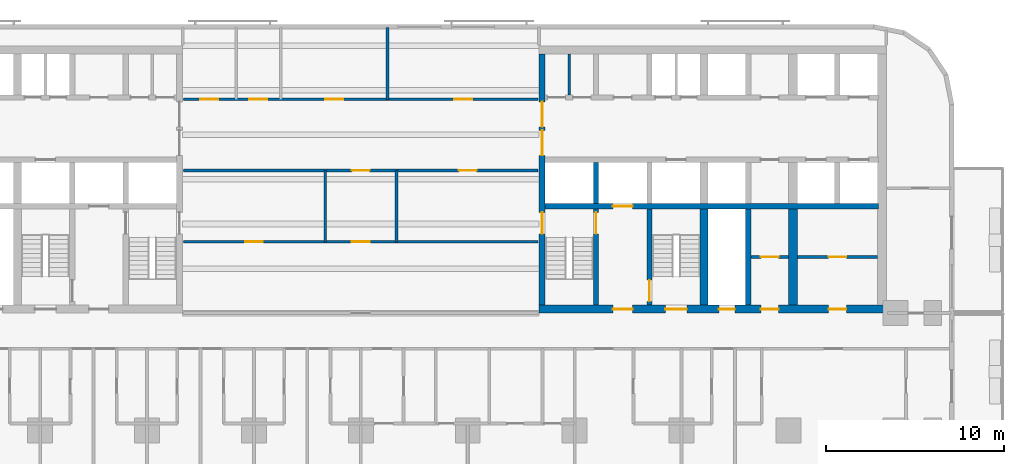
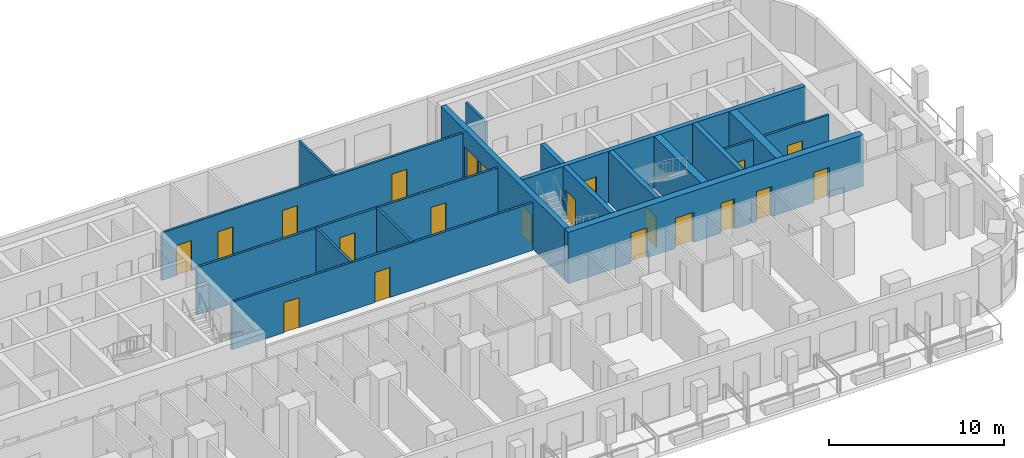
# One storey, part 7 of 14: 21 doors, 18 walls, 21 openings.
"""IFC4 building model written with IfcOpenShell, lengths in metres."""

from ifc_helpers import new_model, si_unit, direction, frame, frame_2d, origin, place, context, subcontext, project, spatial, rectangle, extrude, material, layer, layer_set, type_object, element, fill, save


model = new_model("IFC4")

# Units and contexts
model_context = context("Model", 3, precision=1e-05, world=origin(), true_north=direction((0.0, 1.0)))
body_context = subcontext(model_context, "Body", "Model", "MODEL_VIEW")
ifc_project = project(units=[si_unit("LENGTHUNIT", "METRE"), si_unit("AREAUNIT", "SQUARE_METRE"), si_unit("VOLUMEUNIT", "CUBIC_METRE"), si_unit("PLANEANGLEUNIT", "RADIAN"), si_unit("MASSUNIT", "GRAM", prefix="KILO")], contexts=[model_context])

# Site, building, storey
site_placement = place(None, origin())
site = spatial("IfcSite", under=ifc_project, at=site_placement, CompositionType="ELEMENT")
building_placement = place(site_placement, origin())
building = spatial("IfcBuilding", under=site, at=building_placement, Name="Torana Hotel and Residences", CompositionType="ELEMENT")
storey_placement = place(building_placement, frame((0.0, 0.0, 63.60009765625)))
storey = spatial("IfcBuildingStorey", under=building, at=storey_placement, Name="L15", CompositionType="ELEMENT", Elevation=63.60009765625)

# Wall, opening, door
ifc_material_1 = material(Name="Concrete C80/95", Category="concrete")
ifc_layer_1 = layer(ifc_material_1, 0.300048828125)
ifc_layer_set_1 = layer_set([ifc_layer_1], Name="CORE WALL 300 C80/95")
wall_type_1 = type_object("IfcWallType", Name="CORE WALL 300 C80/95", PredefinedType="SHEAR", material=ifc_layer_set_1)
wall_1_placement = place(storey_placement, frame((10.35009765625, -9.0, 0.0), z_axis=(0.0, 0.0, 1.0), x_axis=(1.0, 0.0, 0.0)))
wall_1 = element("IfcWall", 1, at=wall_1_placement, inside=storey, type_object=wall_type_1, Name="Core wall E band", PredefinedType="SHEAR", context=body_context, shape_type="SweptSolid", body=[
    extrude(rectangle(XDim=18.699951171875, YDim=0.300048828125, at=frame_2d((9.35009765625, 0.0))), origin(), (0.0, 0.0, 1.0), 3.599853515625),
])
opening_1_placement = place(wall_1_placement, frame((3.800048828125, 0.0, 0.0)))
opening_1 = element("IfcOpeningElement", 2, at=opening_1_placement, cuts=wall_1, Name="Opening LD", PredefinedType="OPENING", context=body_context, shape_type="SweptSolid", body=[
    extrude(rectangle(XDim=1.10009765625, YDim=2.10009765625, at=frame_2d((0.550048828125, 1.050048828125))), frame((0.0, 0.159912109375, 0.0), z_axis=(0.0, -1.0, 0.0), x_axis=(1.0, 0.0, 0.0)), (0.0, 0.0, 1.0), 0.320068359375),
])
ifc_material_2 = material(Name="Stainless steel 316", Category="steel")
door_type_1 = type_object("IfcDoorType", Name="LIFT LANDING DOOR LD 1100x2100", OperationType="DOUBLE_DOOR_SLIDING", PredefinedType="USERDEFINED", material=ifc_material_2)
door_1_placement = place(opening_1_placement, origin())
door_1 = element("IfcDoor", 3, at=door_1_placement, inside=storey, type_object=door_type_1, Name="Lift landing door FF2 L15", ObjectType="LIFT LANDING DOOR", OperationType="DOUBLE_DOOR_SLIDING", OverallHeight=2.10009765625, OverallWidth=1.10009765625, PredefinedType="USERDEFINED", context=body_context, shape_type="SweptSolid", body=[
    extrude(rectangle(XDim=1.10009765625, YDim=2.10009765625, at=frame_2d((0.550048828125, 1.050048828125))), frame((0.0, 0.02490234375, 0.0), z_axis=(0.0, -1.0, 0.0), x_axis=(1.0, 0.0, 0.0)), (0.0, 0.0, 1.0), 0.050048828125),
])
fill(opening_1, door_1)

# Wall
wall_2_placement = place(storey_placement, frame((13.199951171875, -8.85009765625, 0.0), z_axis=(0.0, 0.0, 1.0), x_axis=(0.0, 1.0, 0.0)))
element("IfcWall", 4, at=wall_2_placement, inside=storey, type_object=wall_type_1, Name="Core wall E x3.05-S", PredefinedType="SHEAR", context=body_context, shape_type="SweptSolid", body=[
    extrude(rectangle(XDim=2.300048828125, YDim=0.300048828125, at=frame_2d((1.14990234375, 0.0))), origin(), (0.0, 0.0, 1.0), 3.599853515625),
])

# Wall, opening, door
wall_3_placement = place(storey_placement, frame((13.199951171875, -14.550048828125, 0.0), z_axis=(0.0, 0.0, 1.0), x_axis=(0.0, 1.0, 0.0)))
wall_3 = element("IfcWall", 5, at=wall_3_placement, inside=storey, type_object=wall_type_1, Name="Core wall E x3.05-band", PredefinedType="SHEAR", context=body_context, shape_type="SweptSolid", body=[
    extrude(rectangle(XDim=5.400146484375, YDim=0.300048828125, at=frame_2d((2.7001953125, 0.0))), origin(), (0.0, 0.0, 1.0), 3.599853515625),
])
opening_2_placement = place(wall_3_placement, frame((4.0, 0.0, 0.0)))
opening_2 = element("IfcOpeningElement", 6, at=opening_2_placement, cuts=wall_3, Name="Opening L15-33", PredefinedType="OPENING", context=body_context, shape_type="SweptSolid", body=[
    extrude(rectangle(XDim=1.199951171875, YDim=2.10009765625, at=frame_2d((0.60009765625, 1.050048828125))), frame((0.0, 0.159912109375, 0.0), z_axis=(0.0, -1.0, 0.0), x_axis=(1.0, 0.0, 0.0)), (0.0, 0.0, 1.0), 0.320068359375),
])
ifc_material_3 = material(Name="Steel S235", Category="steel")
door_type_2 = type_object("IfcDoorType", Name="STAIR FIRE DOOR D3 1200x2100", OperationType="SINGLE_SWING_LEFT", PredefinedType="DOOR", material=ifc_material_3)
door_2_placement = place(opening_2_placement, origin())
door_2 = element("IfcDoor", 7, at=door_2_placement, inside=storey, type_object=door_type_2, Name="Stair-A-lobby door L15", OperationType="SINGLE_SWING_LEFT", OverallHeight=2.10009765625, OverallWidth=1.199951171875, PredefinedType="DOOR", context=body_context, shape_type="SweptSolid", body=[
    extrude(rectangle(XDim=1.199951171875, YDim=2.10009765625, at=frame_2d((0.60009765625, 1.050048828125))), frame((0.0, 0.02490234375, 0.0), z_axis=(0.0, -1.0, 0.0), x_axis=(1.0, 0.0, 0.0)), (0.0, 0.0, 1.0), 0.050048828125),
])
fill(opening_2, door_2)

wall_4_placement = place(storey_placement, frame((16.199951171875, -14.550048828125, 0.0), z_axis=(0.0, 0.0, 1.0), x_axis=(0.0, 1.0, 0.0)))
wall_4 = element("IfcWall", 8, at=wall_4_placement, inside=storey, type_object=wall_type_1, Name="Core wall E x6.05-band", PredefinedType="SHEAR", context=body_context, shape_type="SweptSolid", body=[
    extrude(rectangle(XDim=5.400146484375, YDim=0.300048828125, at=frame_2d((2.7001953125, 0.0))), origin(), (0.0, 0.0, 1.0), 3.599853515625),
])
opening_3_placement = place(wall_4_placement, frame((0.199951171875, 0.0, 0.0)))
opening_3 = element("IfcOpeningElement", 9, at=opening_3_placement, cuts=wall_4, Name="Opening L15-34", PredefinedType="OPENING", context=body_context, shape_type="SweptSolid", body=[
    extrude(rectangle(XDim=1.199951171875, YDim=2.10009765625, at=frame_2d((0.60009765625, 1.050048828125))), frame((0.0, 0.159912109375, 0.0), z_axis=(0.0, -1.0, 0.0), x_axis=(1.0, 0.0, 0.0)), (0.0, 0.0, 1.0), 0.320068359375),
])
door_3_placement = place(opening_3_placement, frame((0.60009765625, 0.0, 0.0), z_axis=(0.0, 0.0, 1.0), x_axis=(-1.0, 0.0, 0.0)))
door_3 = element("IfcDoor", 10, at=door_3_placement, inside=storey, type_object=door_type_2, Name="Stair-B-lobby door L15", OperationType="SINGLE_SWING_LEFT", OverallHeight=2.10009765625, OverallWidth=1.199951171875, PredefinedType="DOOR", context=body_context, shape_type="SweptSolid", body=[
    extrude(rectangle(XDim=1.199951171875, YDim=2.10009765625, at=frame_2d((0.0, 1.050048828125))), frame((0.0, -0.02490234375, 0.0), z_axis=(0.0, 1.0, 0.0), x_axis=(-1.0, 0.0, 0.0)), (0.0, 0.0, 1.0), 0.050048828125),
])
fill(opening_3, door_3)

# Wall
wall_5_placement = place(storey_placement, frame((21.75, -14.550048828125, 0.0), z_axis=(0.0, 0.0, 1.0), x_axis=(0.0, 1.0, 0.0)))
element("IfcWall", 11, at=wall_5_placement, inside=storey, type_object=wall_type_1, Name="Core wall E mm-band", PredefinedType="SHEAR", context=body_context, shape_type="SweptSolid", body=[
    extrude(rectangle(XDim=5.400146484375, YDim=0.300048828125, at=frame_2d((2.7001953125, 0.0))), origin(), (0.0, 0.0, 1.0), 3.599853515625),
])

# Wall, openings, doors
ifc_material_4 = material(Name="Concrete C80/95", Category="concrete")
ifc_layer_2 = layer(ifc_material_4, 0.35009765625)
ifc_layer_set_2 = layer_set([ifc_layer_2], Name="CORE WALL 350 C80/95")
wall_type_2 = type_object("IfcWallType", Name="CORE WALL 350 C80/95", PredefinedType="SHEAR", material=ifc_layer_set_2)
wall_6_placement = place(storey_placement, frame((10.175048828125, -14.550048828125, 0.0), z_axis=(0.0, 0.0, 1.0), x_axis=(0.0, 1.0, 0.0)))
wall_6 = element("IfcWall", 12, at=wall_6_placement, inside=storey, type_object=wall_type_2, Name="Core wall E arch", PredefinedType="SHEAR", context=body_context, shape_type="SweptSolid", body=[
    extrude(rectangle(XDim=14.10009765625, YDim=0.35009765625, at=frame_2d((7.050048828125, 0.0))), origin(), (0.0, 0.0, 1.0), 3.599853515625),
])
opening_4_placement = place(wall_6_placement, frame((8.39990234375, 0.0, 0.0)))
opening_4 = element("IfcOpeningElement", 13, at=opening_4_placement, cuts=wall_6, Name="Opening L15-18", PredefinedType="OPENING", context=body_context, shape_type="SweptSolid", body=[
    extrude(rectangle(XDim=1.39990234375, YDim=2.39990234375, at=frame_2d((0.699951171875, 1.199951171875))), frame((0.0, 0.18505859375, 0.0), z_axis=(0.0, -1.0, 0.0), x_axis=(1.0, 0.0, 0.0)), (0.0, 0.0, 1.0), 0.3701171875),
])
opening_5_placement = place(wall_6_placement, frame((10.0, 0.0, 0.0)))
opening_5 = element("IfcOpeningElement", 14, at=opening_5_placement, cuts=wall_6, Name="Opening L15-19", PredefinedType="OPENING", context=body_context, shape_type="SweptSolid", body=[
    extrude(rectangle(XDim=1.39990234375, YDim=2.39990234375, at=frame_2d((0.699951171875, 1.199951171875))), frame((0.0, 0.18505859375, 0.0), z_axis=(0.0, -1.0, 0.0), x_axis=(1.0, 0.0, 0.0)), (0.0, 0.0, 1.0), 0.3701171875),
])
opening_6_placement = place(wall_6_placement, frame((4.0, 0.0, 0.0)))
opening_6 = element("IfcOpeningElement", 15, at=opening_6_placement, cuts=wall_6, Name="Opening L15-20", PredefinedType="OPENING", context=body_context, shape_type="SweptSolid", body=[
    extrude(rectangle(XDim=1.199951171875, YDim=2.10009765625, at=frame_2d((0.60009765625, 1.050048828125))), frame((0.0, 0.18505859375, 0.0), z_axis=(0.0, -1.0, 0.0), x_axis=(1.0, 0.0, 0.0)), (0.0, 0.0, 1.0), 0.3701171875),
])
ifc_material_5 = material(Name="Steel S235", Category="steel")
door_type_3 = type_object("IfcDoorType", Name="LOBBY FIRE DOOR D4 1400x2400", OperationType="DOUBLE_DOOR_SINGLE_SWING", PredefinedType="DOOR", material=ifc_material_5)
door_4_placement = place(opening_4_placement, origin())
door_4 = element("IfcDoor", 16, at=door_4_placement, inside=storey, type_object=door_type_3, Name="Lobby-1 door L15", OperationType="DOUBLE_DOOR_SINGLE_SWING", OverallHeight=2.39990234375, OverallWidth=1.39990234375, PredefinedType="DOOR", context=body_context, shape_type="SweptSolid", body=[
    extrude(rectangle(XDim=1.39990234375, YDim=2.39990234375, at=frame_2d((0.699951171875, 1.199951171875))), frame((0.0, 0.02490234375, 0.0), z_axis=(0.0, -1.0, 0.0), x_axis=(1.0, 0.0, 0.0)), (0.0, 0.0, 1.0), 0.050048828125),
])
fill(opening_4, door_4)
door_5_placement = place(opening_5_placement, origin())
door_5 = element("IfcDoor", 17, at=door_5_placement, inside=storey, type_object=door_type_3, Name="Lobby-2 door L15", OperationType="DOUBLE_DOOR_SINGLE_SWING", OverallHeight=2.39990234375, OverallWidth=1.39990234375, PredefinedType="DOOR", context=body_context, shape_type="SweptSolid", body=[
    extrude(rectangle(XDim=1.39990234375, YDim=2.39990234375, at=frame_2d((0.699951171875, 1.199951171875))), frame((0.0, 0.02490234375, 0.0), z_axis=(0.0, -1.0, 0.0), x_axis=(1.0, 0.0, 0.0)), (0.0, 0.0, 1.0), 0.050048828125),
])
fill(opening_5, door_5)
door_6_placement = place(opening_6_placement, frame((0.60009765625, 0.0, 0.0), z_axis=(0.0, 0.0, 1.0), x_axis=(-1.0, 0.0, 0.0)))
door_6 = element("IfcDoor", 18, at=door_6_placement, inside=storey, type_object=door_type_2, Name="Stair-A door L15", OperationType="SINGLE_SWING_RIGHT", OverallHeight=2.10009765625, OverallWidth=1.199951171875, PredefinedType="DOOR", context=body_context, shape_type="SweptSolid", body=[
    extrude(rectangle(XDim=1.199951171875, YDim=2.10009765625, at=frame_2d((0.0, 1.050048828125))), frame((0.0, -0.02490234375, 0.0), z_axis=(0.0, 1.0, 0.0), x_axis=(-1.0, 0.0, 0.0)), (0.0, 0.0, 1.0), 0.050048828125),
])
fill(opening_6, door_6)

ifc_material_6 = material(Name="Concrete C80/95", Category="concrete")
ifc_layer_3 = layer(ifc_material_6, 0.449951171875)
ifc_layer_set_3 = layer_set([ifc_layer_3], Name="CORE WALL 450 C80/95")
wall_type_3 = type_object("IfcWallType", Name="CORE WALL 450 C80/95", PredefinedType="SHEAR", material=ifc_layer_set_3)
wall_7_placement = place(storey_placement, frame((10.0, -14.77490234375, 0.0), z_axis=(0.0, 0.0, 1.0), x_axis=(1.0, 0.0, 0.0)))
wall_7 = element("IfcWall", 19, at=wall_7_placement, inside=storey, type_object=wall_type_3, Name="Core wall E front", PredefinedType="SHEAR", context=body_context, shape_type="SweptSolid", body=[
    extrude(rectangle(XDim=19.5, YDim=0.449951171875, at=frame_2d((9.75, 0.0))), origin(), (0.0, 0.0, 1.0), 3.599853515625),
])
opening_7_placement = place(wall_7_placement, frame((7.10009765625, 0.0, 0.0)))
opening_7 = element("IfcOpeningElement", 20, at=opening_7_placement, cuts=wall_7, Name="Opening L15-21", PredefinedType="OPENING", context=body_context, shape_type="SweptSolid", body=[
    extrude(rectangle(XDim=1.199951171875, YDim=2.10009765625, at=frame_2d((0.60009765625, 1.050048828125))), frame((0.0, 0.23486328125, 0.0), z_axis=(0.0, -1.0, 0.0), x_axis=(1.0, 0.0, 0.0)), (0.0, 0.0, 1.0), 0.469970703125),
])
opening_8_placement = place(wall_7_placement, frame((4.14990234375, 0.0, 0.0)))
opening_8 = element("IfcOpeningElement", 21, at=opening_8_placement, cuts=wall_7, Name="Opening L15-22", PredefinedType="OPENING", context=body_context, shape_type="SweptSolid", body=[
    extrude(rectangle(XDim=1.10009765625, YDim=2.10009765625, at=frame_2d((0.550048828125, 1.050048828125))), frame((0.0, 0.23486328125, 0.0), z_axis=(0.0, -1.0, 0.0), x_axis=(1.0, 0.0, 0.0)), (0.0, 0.0, 1.0), 0.469970703125),
])
opening_9_placement = place(wall_7_placement, frame((10.10009765625, 0.0, 0.0)))
opening_9 = element("IfcOpeningElement", 22, at=opening_9_placement, cuts=wall_7, Name="Opening L15-23", PredefinedType="OPENING", context=body_context, shape_type="SweptSolid", body=[
    extrude(rectangle(XDim=0.89990234375, YDim=2.10009765625, at=frame_2d((0.449951171875, 1.050048828125))), frame((0.0, 0.23486328125, 0.0), z_axis=(0.0, -1.0, 0.0), x_axis=(1.0, 0.0, 0.0)), (0.0, 0.0, 1.0), 0.469970703125),
])
opening_10_placement = place(wall_7_placement, frame((12.449951171875, 0.0, 0.0)))
opening_10 = element("IfcOpeningElement", 23, at=opening_10_placement, cuts=wall_7, Name="Opening L15-24", PredefinedType="OPENING", context=body_context, shape_type="SweptSolid", body=[
    extrude(rectangle(XDim=1.0, YDim=2.10009765625, at=frame_2d((0.5, 1.050048828125))), frame((0.0, 0.23486328125, 0.0), z_axis=(0.0, -1.0, 0.0), x_axis=(1.0, 0.0, 0.0)), (0.0, 0.0, 1.0), 0.469970703125),
])
opening_11_placement = place(wall_7_placement, frame((16.25, 0.0, 0.0)))
opening_11 = element("IfcOpeningElement", 24, at=opening_11_placement, cuts=wall_7, Name="Opening L15-25", PredefinedType="OPENING", context=body_context, shape_type="SweptSolid", body=[
    extrude(rectangle(XDim=1.0, YDim=2.10009765625, at=frame_2d((0.5, 1.050048828125))), frame((0.0, 0.23486328125, 0.0), z_axis=(0.0, -1.0, 0.0), x_axis=(1.0, 0.0, 0.0)), (0.0, 0.0, 1.0), 0.469970703125),
])
ifc_material_7 = material(Name="Steel S235", Category="steel")
door_type_4 = type_object("IfcDoorType", Name="CORE ROOM FIRE DOOR D14 1000x2100", OperationType="SINGLE_SWING_LEFT", PredefinedType="DOOR", material=ifc_material_7)
door_7_placement = place(opening_10_placement, origin())
door_7 = element("IfcDoor", 25, at=door_7_placement, inside=storey, type_object=door_type_4, Name="M-Room-B door L15", OperationType="SINGLE_SWING_RIGHT", OverallHeight=2.10009765625, OverallWidth=1.0, PredefinedType="DOOR", context=body_context, shape_type="SweptSolid", body=[
    extrude(rectangle(XDim=1.0, YDim=2.10009765625, at=frame_2d((0.5, 1.050048828125))), frame((0.0, 0.02490234375, 0.0), z_axis=(0.0, -1.0, 0.0), x_axis=(1.0, 0.0, 0.0)), (0.0, 0.0, 1.0), 0.050048828125),
])
fill(opening_10, door_7)
door_8_placement = place(opening_11_placement, origin())
door_8 = element("IfcDoor", 26, at=door_8_placement, inside=storey, type_object=door_type_4, Name="L-B door L15", OperationType="SINGLE_SWING_RIGHT", OverallHeight=2.10009765625, OverallWidth=1.0, PredefinedType="DOOR", context=body_context, shape_type="SweptSolid", body=[
    extrude(rectangle(XDim=1.0, YDim=2.10009765625, at=frame_2d((0.5, 1.050048828125))), frame((0.0, 0.02490234375, 0.0), z_axis=(0.0, -1.0, 0.0), x_axis=(1.0, 0.0, 0.0)), (0.0, 0.0, 1.0), 0.050048828125),
])
fill(opening_11, door_8)
ifc_material_8 = material(Name="Steel S235", Category="steel")
door_type_5 = type_object("IfcDoorType", Name="FIRE-FIGHTING LOBBY DOOR D8 1100x2100", OperationType="SINGLE_SWING_LEFT", PredefinedType="DOOR", material=ifc_material_8)
door_9_placement = place(opening_8_placement, origin())
door_9 = element("IfcDoor", 27, at=door_9_placement, inside=storey, type_object=door_type_5, Name="FF-lobby door L15", OperationType="SINGLE_SWING_RIGHT", OverallHeight=2.10009765625, OverallWidth=1.10009765625, PredefinedType="DOOR", context=body_context, shape_type="SweptSolid", body=[
    extrude(rectangle(XDim=1.10009765625, YDim=2.10009765625, at=frame_2d((0.550048828125, 1.050048828125))), frame((0.0, 0.02490234375, 0.0), z_axis=(0.0, -1.0, 0.0), x_axis=(1.0, 0.0, 0.0)), (0.0, 0.0, 1.0), 0.050048828125),
])
fill(opening_8, door_9)
ifc_material_9 = material(Name="Steel S235", Category="steel")
door_type_6 = type_object("IfcDoorType", Name="RISER ACCESS DOOR D5 900x2100", OperationType="SINGLE_SWING_LEFT", PredefinedType="DOOR", material=ifc_material_9)
door_10_placement = place(opening_9_placement, origin())
door_10 = element("IfcDoor", 28, at=door_10_placement, inside=storey, type_object=door_type_6, Name="M-Riser door L15", OperationType="SINGLE_SWING_RIGHT", OverallHeight=2.10009765625, OverallWidth=0.89990234375, PredefinedType="DOOR", context=body_context, shape_type="SweptSolid", body=[
    extrude(rectangle(XDim=0.89990234375, YDim=2.10009765625, at=frame_2d((0.449951171875, 1.050048828125))), frame((0.0, 0.02490234375, 0.0), z_axis=(0.0, -1.0, 0.0), x_axis=(1.0, 0.0, 0.0)), (0.0, 0.0, 1.0), 0.050048828125),
])
fill(opening_9, door_10)
door_11_placement = place(opening_7_placement, origin())
door_11 = element("IfcDoor", 29, at=door_11_placement, inside=storey, type_object=door_type_2, Name="Stair-B door L15", OperationType="SINGLE_SWING_RIGHT", OverallHeight=2.10009765625, OverallWidth=1.199951171875, PredefinedType="DOOR", context=body_context, shape_type="SweptSolid", body=[
    extrude(rectangle(XDim=1.199951171875, YDim=2.10009765625, at=frame_2d((0.60009765625, 1.050048828125))), frame((0.0, 0.02490234375, 0.0), z_axis=(0.0, -1.0, 0.0), x_axis=(1.0, 0.0, 0.0)), (0.0, 0.0, 1.0), 0.050048828125),
])
fill(opening_7, door_11)

# Walls
wall_8_placement = place(storey_placement, frame((19.27490234375, -14.550048828125, 0.0), z_axis=(0.0, 0.0, 1.0), x_axis=(0.0, 1.0, 0.0)))
element("IfcWall", 30, at=wall_8_placement, inside=storey, type_object=wall_type_3, Name="Core wall E hm-band", PredefinedType="SHEAR", context=body_context, shape_type="SweptSolid", body=[
    extrude(rectangle(XDim=5.400146484375, YDim=0.449951171875, at=frame_2d((2.7001953125, 0.0))), origin(), (0.0, 0.0, 1.0), 3.599853515625),
])
ifc_material_10 = material(Name="Concrete C80/95", Category="concrete")
ifc_layer_4 = layer(ifc_material_10, 0.5)
ifc_layer_set_4 = layer_set([ifc_layer_4], Name="CORE WALL 500 C80/95")
wall_type_4 = type_object("IfcWallType", Name="CORE WALL 500 C80/95", PredefinedType="SHEAR", material=ifc_layer_set_4)
wall_9_placement = place(storey_placement, frame((24.25, -14.550048828125, 0.0), z_axis=(0.0, 0.0, 1.0), x_axis=(0.0, 1.0, 0.0)))
element("IfcWall", 31, at=wall_9_placement, inside=storey, type_object=wall_type_4, Name="Core wall E ml-band", PredefinedType="SHEAR", context=body_context, shape_type="SweptSolid", body=[
    extrude(rectangle(XDim=5.400146484375, YDim=0.5, at=frame_2d((2.7001953125, 0.0))), origin(), (0.0, 0.0, 1.0), 3.599853515625),
])
ifc_material_11 = material(Name="Gypsum plaster")
ifc_layer_5 = layer(ifc_material_11, 0.014892578125, Name="Plaster", Category="finish")
ifc_material_12 = material(Name="Concrete blockwork", Category="masonry")
ifc_layer_6 = layer(ifc_material_12, 0.1201171875, Name="Blockwork", Category="structure")
ifc_layer_7 = layer(ifc_material_11, 0.014892578125, Name="Plaster", Category="finish")
ifc_layer_set_5 = layer_set([ifc_layer_5, ifc_layer_6, ifc_layer_7], Name="FIRE PARTITION 150 BLOCKWORK")
wall_type_5 = type_object("IfcWallType", Name="FIRE PARTITION 150 BLOCKWORK", PredefinedType="PARTITIONING", material=ifc_layer_set_5)
wall_10_placement = place(storey_placement, frame((11.699951171875, -2.75, 0.0), z_axis=(0.0, 0.0, 1.0), x_axis=(0.0, 1.0, 0.0)))
element("IfcWall", 32, at=wall_10_placement, inside=storey, type_object=wall_type_5, Name="Core partition L15", PredefinedType="PARTITIONING", context=body_context, shape_type="SweptSolid", body=[
    extrude(rectangle(XDim=2.300048828125, YDim=0.14990234375, at=frame_2d((1.14990234375, 0.0))), origin(), (0.0, 0.0, 1.0), 3.2998046875),
])

# Wall, opening, door
wall_11_placement = place(storey_placement, frame((21.89990234375, -11.85009765625, 0.0), z_axis=(0.0, 0.0, 1.0), x_axis=(1.0, 0.0, 0.0)))
wall_11 = element("IfcWall", 33, at=wall_11_placement, inside=storey, type_object=wall_type_5, Name="Core partition L15", PredefinedType="PARTITIONING", context=body_context, shape_type="SweptSolid", body=[
    extrude(rectangle(XDim=2.10009765625, YDim=0.14990234375, at=frame_2d((1.050048828125, 0.0))), origin(), (0.0, 0.0, 1.0), 3.2998046875),
])
opening_12_placement = place(wall_11_placement, frame((0.550048828125, 0.0, 0.0)))
opening_12 = element("IfcOpeningElement", 34, at=opening_12_placement, cuts=wall_11, Name="Opening L15-37", PredefinedType="OPENING", context=body_context, shape_type="SweptSolid", body=[
    extrude(rectangle(XDim=1.0, YDim=2.10009765625, at=frame_2d((0.5, 1.050048828125))), frame((0.0, 0.0849609375, 0.0), z_axis=(0.0, -1.0, 0.0), x_axis=(1.0, 0.0, 0.0)), (0.0, 0.0, 1.0), 0.169921875),
])
door_12_placement = place(opening_12_placement, origin())
door_12 = element("IfcDoor", 35, at=door_12_placement, inside=storey, type_object=door_type_4, Name="Plant room door L15", OperationType="SINGLE_SWING_RIGHT", OverallHeight=2.10009765625, OverallWidth=1.0, PredefinedType="DOOR", context=body_context, shape_type="SweptSolid", body=[
    extrude(rectangle(XDim=1.0, YDim=2.10009765625, at=frame_2d((0.5, 1.050048828125))), frame((0.0, 0.02490234375, 0.0), z_axis=(0.0, -1.0, 0.0), x_axis=(1.0, 0.0, 0.0)), (0.0, 0.0, 1.0), 0.050048828125),
])
fill(opening_12, door_12)

wall_12_placement = place(storey_placement, frame((24.5, -11.85009765625, 0.0), z_axis=(0.0, 0.0, 1.0), x_axis=(1.0, 0.0, 0.0)))
wall_12 = element("IfcWall", 36, at=wall_12_placement, inside=storey, type_object=wall_type_5, Name="Core partition L15", PredefinedType="PARTITIONING", context=body_context, shape_type="SweptSolid", body=[
    extrude(rectangle(XDim=4.5, YDim=0.14990234375, at=frame_2d((2.25, 0.0))), origin(), (0.0, 0.0, 1.0), 3.2998046875),
])
opening_13_placement = place(wall_12_placement, frame((1.75, 0.0, 0.0)))
opening_13 = element("IfcOpeningElement", 37, at=opening_13_placement, cuts=wall_12, Name="Opening L15-38", PredefinedType="OPENING", context=body_context, shape_type="SweptSolid", body=[
    extrude(rectangle(XDim=1.0, YDim=2.10009765625, at=frame_2d((0.5, 1.050048828125))), frame((0.0, 0.0849609375, 0.0), z_axis=(0.0, -1.0, 0.0), x_axis=(1.0, 0.0, 0.0)), (0.0, 0.0, 1.0), 0.169921875),
])
door_13_placement = place(opening_13_placement, origin())
door_13 = element("IfcDoor", 38, at=door_13_placement, inside=storey, type_object=door_type_4, Name="Plant room door L15", OperationType="SINGLE_SWING_RIGHT", OverallHeight=2.10009765625, OverallWidth=1.0, PredefinedType="DOOR", context=body_context, shape_type="SweptSolid", body=[
    extrude(rectangle(XDim=1.0, YDim=2.10009765625, at=frame_2d((0.5, 1.050048828125))), frame((0.0, 0.02490234375, 0.0), z_axis=(0.0, -1.0, 0.0), x_axis=(1.0, 0.0, 0.0)), (0.0, 0.0, 1.0), 0.050048828125),
])
fill(opening_13, door_13)

# Walls
for number, where, z_axis, x_axis, name in (
    (39, (2.0, -11.0, 0.0), (0.0, 0.0, 1.0), (0.0, 1.0, 0.0), "Partition L15"),
    (40, (-2.0, -11.0, 0.0), (0.0, 0.0, 1.0), (0.0, 1.0, 0.0), "Partition L15"),
):
    element("IfcWall", number, at=place(storey_placement, frame(where, z_axis=z_axis, x_axis=x_axis)), inside=storey, type_object=wall_type_5, Name=name, PredefinedType="PARTITIONING", context=body_context, shape_type="SweptSolid", body=[
        extrude(rectangle(XDim=4.0, YDim=0.14990234375, at=frame_2d((2.0, 0.0))), origin(), (0.0, 0.0, 1.0), 3.31982421875),
    ])

# Wall, openings, doors
wall_13_placement = place(storey_placement, frame((-9.949951171875, -11.0, 0.0), z_axis=(0.0, 0.0, 1.0), x_axis=(1.0, 0.0, 0.0)))
wall_13 = element("IfcWall", 41, at=wall_13_placement, inside=storey, type_object=wall_type_5, Name="Partition L15", PredefinedType="PARTITIONING", context=body_context, shape_type="SweptSolid", body=[
    extrude(rectangle(XDim=19.89990234375, YDim=0.14990234375, at=frame_2d((9.949951171875, 0.0))), origin(), (0.0, 0.0, 1.0), 3.31982421875),
])
opening_14_placement = place(wall_13_placement, frame((9.449951171875, 0.0, 0.0)))
opening_14 = element("IfcOpeningElement", 42, at=opening_14_placement, cuts=wall_13, Name="Opening L15-54", PredefinedType="OPENING", context=body_context, shape_type="SweptSolid", body=[
    extrude(rectangle(XDim=1.0, YDim=2.10009765625, at=frame_2d((0.5, 1.050048828125))), frame((0.0, 0.0849609375, 0.0), z_axis=(0.0, -1.0, 0.0), x_axis=(1.0, 0.0, 0.0)), (0.0, 0.0, 1.0), 0.169921875),
])
opening_15_placement = place(wall_13_placement, frame((3.449951171875, 0.0, 0.0)))
opening_15 = element("IfcOpeningElement", 43, at=opening_15_placement, cuts=wall_13, Name="Opening L15-55", PredefinedType="OPENING", context=body_context, shape_type="SweptSolid", body=[
    extrude(rectangle(XDim=1.0, YDim=2.10009765625, at=frame_2d((0.5, 1.050048828125))), frame((0.0, 0.0849609375, 0.0), z_axis=(0.0, -1.0, 0.0), x_axis=(1.0, 0.0, 0.0)), (0.0, 0.0, 1.0), 0.169921875),
])
ifc_material_13 = material(Name="Steel S235", Category="steel")
door_type_7 = type_object("IfcDoorType", Name="ENTRY FIRE DOOR D6 1000x2100", OperationType="SINGLE_SWING_LEFT", PredefinedType="DOOR", material=ifc_material_13)
door_14_placement = place(opening_14_placement, origin())
door_14 = element("IfcDoor", 44, at=door_14_placement, inside=storey, type_object=door_type_7, Name="Door L15", OperationType="SINGLE_SWING_RIGHT", OverallHeight=2.10009765625, OverallWidth=1.0, PredefinedType="DOOR", context=body_context, shape_type="SweptSolid", body=[
    extrude(rectangle(XDim=1.0, YDim=2.10009765625, at=frame_2d((0.5, 1.050048828125))), frame((0.0, 0.02490234375, 0.0), z_axis=(0.0, -1.0, 0.0), x_axis=(1.0, 0.0, 0.0)), (0.0, 0.0, 1.0), 0.050048828125),
])
fill(opening_14, door_14)
door_15_placement = place(opening_15_placement, origin())
door_15 = element("IfcDoor", 45, at=door_15_placement, inside=storey, type_object=door_type_7, Name="Door L15", OperationType="SINGLE_SWING_RIGHT", OverallHeight=2.10009765625, OverallWidth=1.0, PredefinedType="DOOR", context=body_context, shape_type="SweptSolid", body=[
    extrude(rectangle(XDim=1.0, YDim=2.10009765625, at=frame_2d((0.5, 1.050048828125))), frame((0.0, 0.02490234375, 0.0), z_axis=(0.0, -1.0, 0.0), x_axis=(1.0, 0.0, 0.0)), (0.0, 0.0, 1.0), 0.050048828125),
])
fill(opening_15, door_15)

wall_14_placement = place(storey_placement, frame((-9.949951171875, -7.0, 0.0), z_axis=(0.0, 0.0, 1.0), x_axis=(1.0, 0.0, 0.0)))
wall_14 = element("IfcWall", 46, at=wall_14_placement, inside=storey, type_object=wall_type_5, Name="Partition L15", PredefinedType="PARTITIONING", context=body_context, shape_type="SweptSolid", body=[
    extrude(rectangle(XDim=19.89990234375, YDim=0.14990234375, at=frame_2d((9.949951171875, 0.0))), origin(), (0.0, 0.0, 1.0), 3.31982421875),
])
opening_16_placement = place(wall_14_placement, frame((9.449951171875, 0.0, 0.0)))
opening_16 = element("IfcOpeningElement", 47, at=opening_16_placement, cuts=wall_14, Name="Opening L15-56", PredefinedType="OPENING", context=body_context, shape_type="SweptSolid", body=[
    extrude(rectangle(XDim=1.0, YDim=2.10009765625, at=frame_2d((0.5, 1.050048828125))), frame((0.0, 0.0849609375, 0.0), z_axis=(0.0, -1.0, 0.0), x_axis=(1.0, 0.0, 0.0)), (0.0, 0.0, 1.0), 0.169921875),
])
opening_17_placement = place(wall_14_placement, frame((15.449951171875, 0.0, 0.0)))
opening_17 = element("IfcOpeningElement", 48, at=opening_17_placement, cuts=wall_14, Name="Opening L15-57", PredefinedType="OPENING", context=body_context, shape_type="SweptSolid", body=[
    extrude(rectangle(XDim=1.0, YDim=2.10009765625, at=frame_2d((0.5, 1.050048828125))), frame((0.0, 0.0849609375, 0.0), z_axis=(0.0, -1.0, 0.0), x_axis=(1.0, 0.0, 0.0)), (0.0, 0.0, 1.0), 0.169921875),
])
door_16_placement = place(opening_16_placement, origin())
door_16 = element("IfcDoor", 49, at=door_16_placement, inside=storey, type_object=door_type_7, Name="Door L15", OperationType="SINGLE_SWING_RIGHT", OverallHeight=2.10009765625, OverallWidth=1.0, PredefinedType="DOOR", context=body_context, shape_type="SweptSolid", body=[
    extrude(rectangle(XDim=1.0, YDim=2.10009765625, at=frame_2d((0.5, 1.050048828125))), frame((0.0, 0.02490234375, 0.0), z_axis=(0.0, -1.0, 0.0), x_axis=(1.0, 0.0, 0.0)), (0.0, 0.0, 1.0), 0.050048828125),
])
fill(opening_16, door_16)
door_17_placement = place(opening_17_placement, frame((0.5, 0.0, 0.0), z_axis=(0.0, 0.0, 1.0), x_axis=(-1.0, 0.0, 0.0)))
door_17 = element("IfcDoor", 50, at=door_17_placement, inside=storey, type_object=door_type_7, Name="Door L15", OperationType="SINGLE_SWING_LEFT", OverallHeight=2.10009765625, OverallWidth=1.0, PredefinedType="DOOR", context=body_context, shape_type="SweptSolid", body=[
    extrude(rectangle(XDim=1.0, YDim=2.10009765625, at=frame_2d((0.0, 1.050048828125))), frame((0.0, -0.02490234375, 0.0), z_axis=(0.0, 1.0, 0.0), x_axis=(-1.0, 0.0, 0.0)), (0.0, 0.0, 1.0), 0.050048828125),
])
fill(opening_17, door_17)

wall_15_placement = place(storey_placement, frame((-9.949951171875, -3.0, 0.0), z_axis=(0.0, 0.0, 1.0), x_axis=(1.0, 0.0, 0.0)))
wall_15 = element("IfcWall", 51, at=wall_15_placement, inside=storey, type_object=wall_type_5, Name="Partition L15", PredefinedType="PARTITIONING", context=body_context, shape_type="SweptSolid", body=[
    extrude(rectangle(XDim=19.89990234375, YDim=0.14990234375, at=frame_2d((9.949951171875, 0.0))), origin(), (0.0, 0.0, 1.0), 3.31982421875),
])
opening_18_placement = place(wall_15_placement, frame((0.949951171875, 0.0, 0.0)))
opening_18 = element("IfcOpeningElement", 52, at=opening_18_placement, cuts=wall_15, Name="Opening L15-58", PredefinedType="OPENING", context=body_context, shape_type="SweptSolid", body=[
    extrude(rectangle(XDim=1.0, YDim=2.10009765625, at=frame_2d((0.5, 1.050048828125))), frame((0.0, 0.0849609375, 0.0), z_axis=(0.0, -1.0, 0.0), x_axis=(1.0, 0.0, 0.0)), (0.0, 0.0, 1.0), 0.169921875),
])
opening_19_placement = place(wall_15_placement, frame((3.699951171875, 0.0, 0.0)))
opening_19 = element("IfcOpeningElement", 53, at=opening_19_placement, cuts=wall_15, Name="Opening L15-59", PredefinedType="OPENING", context=body_context, shape_type="SweptSolid", body=[
    extrude(rectangle(XDim=1.0, YDim=2.10009765625, at=frame_2d((0.5, 1.050048828125))), frame((0.0, 0.0849609375, 0.0), z_axis=(0.0, -1.0, 0.0), x_axis=(1.0, 0.0, 0.0)), (0.0, 0.0, 1.0), 0.169921875),
])
opening_20_placement = place(wall_15_placement, frame((7.949951171875, 0.0, 0.0)))
opening_20 = element("IfcOpeningElement", 54, at=opening_20_placement, cuts=wall_15, Name="Opening L15-60", PredefinedType="OPENING", context=body_context, shape_type="SweptSolid", body=[
    extrude(rectangle(XDim=1.0, YDim=2.10009765625, at=frame_2d((0.5, 1.050048828125))), frame((0.0, 0.0849609375, 0.0), z_axis=(0.0, -1.0, 0.0), x_axis=(1.0, 0.0, 0.0)), (0.0, 0.0, 1.0), 0.169921875),
])
opening_21_placement = place(wall_15_placement, frame((15.199951171875, 0.0, 0.0)))
opening_21 = element("IfcOpeningElement", 55, at=opening_21_placement, cuts=wall_15, Name="Opening L15-61", PredefinedType="OPENING", context=body_context, shape_type="SweptSolid", body=[
    extrude(rectangle(XDim=1.0, YDim=2.10009765625, at=frame_2d((0.5, 1.050048828125))), frame((0.0, 0.0849609375, 0.0), z_axis=(0.0, -1.0, 0.0), x_axis=(1.0, 0.0, 0.0)), (0.0, 0.0, 1.0), 0.169921875),
])
door_18_placement = place(opening_18_placement, origin())
door_18 = element("IfcDoor", 56, at=door_18_placement, inside=storey, type_object=door_type_7, Name="Door L15", OperationType="SINGLE_SWING_RIGHT", OverallHeight=2.10009765625, OverallWidth=1.0, PredefinedType="DOOR", context=body_context, shape_type="SweptSolid", body=[
    extrude(rectangle(XDim=1.0, YDim=2.10009765625, at=frame_2d((0.5, 1.050048828125))), frame((0.0, 0.02490234375, 0.0), z_axis=(0.0, -1.0, 0.0), x_axis=(1.0, 0.0, 0.0)), (0.0, 0.0, 1.0), 0.050048828125),
])
fill(opening_18, door_18)
door_19_placement = place(opening_19_placement, origin())
door_19 = element("IfcDoor", 57, at=door_19_placement, inside=storey, type_object=door_type_7, Name="Door L15", OperationType="SINGLE_SWING_RIGHT", OverallHeight=2.10009765625, OverallWidth=1.0, PredefinedType="DOOR", context=body_context, shape_type="SweptSolid", body=[
    extrude(rectangle(XDim=1.0, YDim=2.10009765625, at=frame_2d((0.5, 1.050048828125))), frame((0.0, 0.02490234375, 0.0), z_axis=(0.0, -1.0, 0.0), x_axis=(1.0, 0.0, 0.0)), (0.0, 0.0, 1.0), 0.050048828125),
])
fill(opening_19, door_19)
door_20_placement = place(opening_20_placement, origin())
door_20 = element("IfcDoor", 58, at=door_20_placement, inside=storey, type_object=door_type_7, Name="Door L15", OperationType="SINGLE_SWING_RIGHT", OverallHeight=2.10009765625, OverallWidth=1.0, PredefinedType="DOOR", context=body_context, shape_type="SweptSolid", body=[
    extrude(rectangle(XDim=1.0, YDim=2.10009765625, at=frame_2d((0.5, 1.050048828125))), frame((0.0, 0.02490234375, 0.0), z_axis=(0.0, -1.0, 0.0), x_axis=(1.0, 0.0, 0.0)), (0.0, 0.0, 1.0), 0.050048828125),
])
fill(opening_20, door_20)
door_21_placement = place(opening_21_placement, origin())
door_21 = element("IfcDoor", 59, at=door_21_placement, inside=storey, type_object=door_type_7, Name="Door L15", OperationType="SINGLE_SWING_RIGHT", OverallHeight=2.10009765625, OverallWidth=1.0, PredefinedType="DOOR", context=body_context, shape_type="SweptSolid", body=[
    extrude(rectangle(XDim=1.0, YDim=2.10009765625, at=frame_2d((0.5, 1.050048828125))), frame((0.0, 0.02490234375, 0.0), z_axis=(0.0, -1.0, 0.0), x_axis=(1.0, 0.0, 0.0)), (0.0, 0.0, 1.0), 0.050048828125),
])
fill(opening_21, door_21)

# Wall
ifc_material_14 = material(Name="Gypsum plasterboard")
ifc_layer_8 = layer(ifc_material_14, 0.012451171875, Name="Plasterboard", Category="finish")
ifc_layer_9 = layer(ifc_material_14, 0.012451171875, Name="Plasterboard", Category="finish")
ifc_material_15 = material(Name="Steel S280GD", Category="steel")
ifc_layer_10 = layer(ifc_material_15, 0.10009765625, Name="Steel studs with mineral wool", Category="insulation")
ifc_layer_11 = layer(ifc_material_14, 0.012451171875, Name="Plasterboard", Category="finish")
ifc_layer_12 = layer(ifc_material_14, 0.012451171875, Name="Plasterboard", Category="finish")
ifc_layer_set_6 = layer_set([ifc_layer_8, ifc_layer_9, ifc_layer_10, ifc_layer_11, ifc_layer_12], Name="PARTITION 150 PLASTERBOARD")
wall_type_6 = type_object("IfcWallType", Name="PARTITION 150 PLASTERBOARD", PredefinedType="PARTITIONING", material=ifc_layer_set_6)
wall_16_placement = place(storey_placement, frame((1.5, -3.0, 0.0), z_axis=(0.0, 0.0, 1.0), x_axis=(0.0, 1.0, 0.0)))
element("IfcWall", 60, at=wall_16_placement, inside=storey, type_object=wall_type_6, Name="Partition L15", PredefinedType="PARTITIONING", context=body_context, shape_type="SweptSolid", body=[
    extrude(rectangle(XDim=4.02001953125, YDim=0.14990234375, at=frame_2d((2.010009765625, 0.0))), origin(), (0.0, 0.0, 1.0), 3.31982421875),
])

save(model, "model.ifc")
